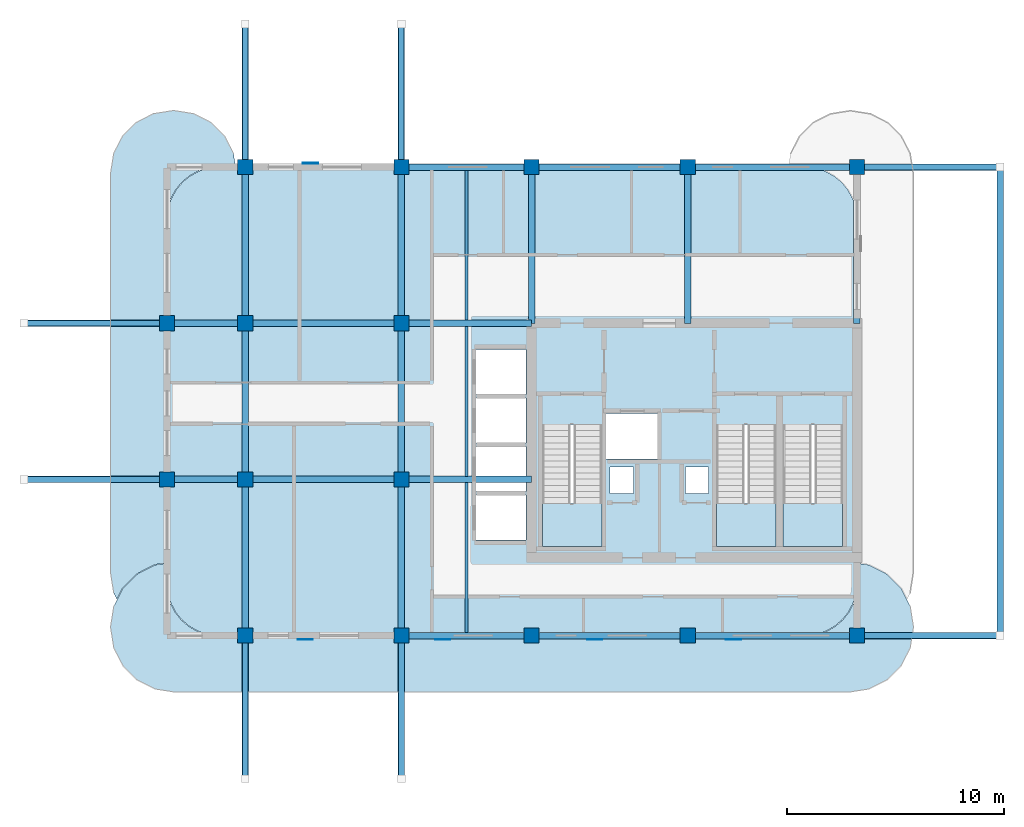
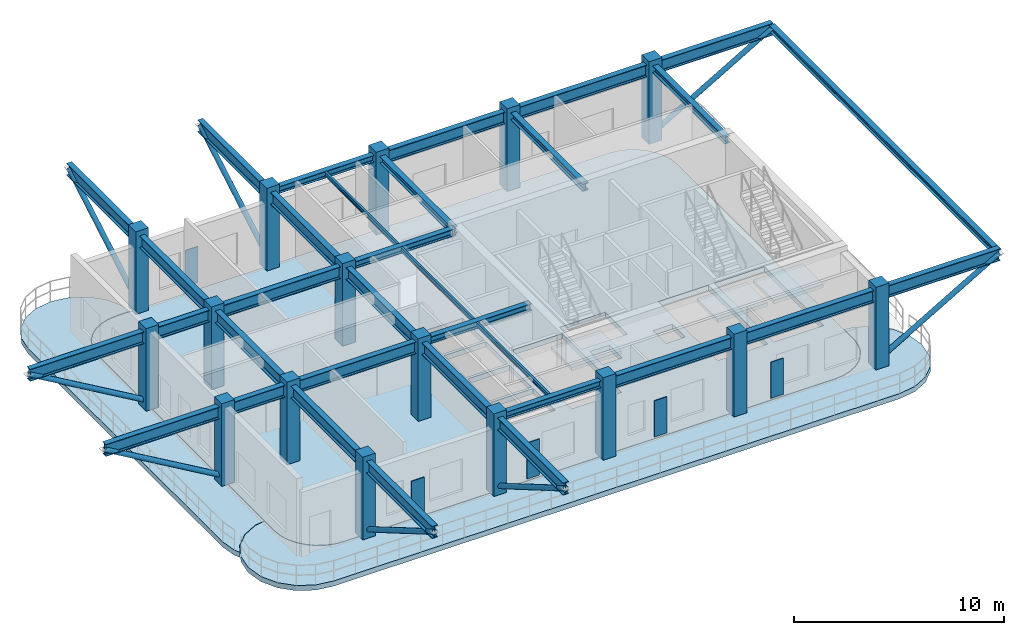
# One storey, part 1 of 8: 19 beams, 16 columns, 8 members, 6 slabs, 5 plates, 3 elements without a shape of their own.
"""IFC4 building model written with IfcOpenShell, lengths in metres."""

from ifc_helpers import new_model, si_unit, derived_unit, direction, frame, origin, origin_2d, place, context, subcontext, project, spatial, polyline, rectangle, hollow_circle, i_section, outline, extrude, source, transform, mapped, material, layer, layer_set, material_profile, profile_set, type_object, type_shapes, element, aggregate, save


model = new_model("IFC4")

# Units and contexts
model_context = context("Model", 3, precision=1e-05, world=origin(), true_north=direction((0.0, 1.0)))
body_context = subcontext(model_context, "Body", "Model", "MODEL_VIEW")
ifc_project = project(units=[si_unit("LENGTHUNIT", "METRE"), si_unit("AREAUNIT", "SQUARE_METRE"), si_unit("VOLUMEUNIT", "CUBIC_METRE"), si_unit("PLANEANGLEUNIT", "RADIAN"), si_unit("MASSUNIT", "GRAM", prefix="KILO"), si_unit("THERMODYNAMICTEMPERATUREUNIT", "KELVIN"), si_unit("POWERUNIT", "WATT"), derived_unit("THERMALTRANSMITTANCEUNIT", [(si_unit("POWERUNIT", "WATT"), 1), (si_unit("AREAUNIT", "SQUARE_METRE"), -1), (si_unit("THERMODYNAMICTEMPERATUREUNIT", "KELVIN"), -1)])], contexts=[model_context])

# Site, building, storey
site_placement = place(None, origin())
site = spatial("IfcSite", under=ifc_project, at=site_placement, CompositionType="ELEMENT")
building_placement = place(site_placement, origin())
building = spatial("IfcBuilding", under=site, at=building_placement, Name="Zahravan Archway Hotel and Residences", CompositionType="ELEMENT")
storey_placement = place(building_placement, frame((0.0, 0.0, 294.300048828125)))
storey = spatial("IfcBuildingStorey", under=building, at=storey_placement, Name="L74", CompositionType="ELEMENT", Elevation=294.300048828125)

# Columns
ifc_material_1 = material(Name="Concrete C50/60", Category="concrete")
ifc_material_profile_1 = material_profile(ifc_material_1, rectangle(XDim=0.699951171875, YDim=0.699951171875, at=origin_2d()), Name="RC-COL-700x700", Category="concrete")
ifc_profile_set_1 = profile_set([ifc_material_profile_1], Name="Concrete C50/60")
column_type = type_object("IfcColumnType", Name="COL-RC-700", PredefinedType="COLUMN", material=ifc_profile_set_1)
shared_shape_1 = source(origin(), body_context, "Body", "SweptSolid", [
    extrude(rectangle(XDim=0.699951171875, YDim=0.699951171875, at=origin_2d()), origin(), (0.0, 0.0, 1.0), 4.800048828125),
])
for number, where, z_axis, x_axis, name in (
    (1, (21.60009765625, 0.0, 0.0), (0.0, 0.0, 1.0), (1.0, 0.0, 0.0), "L74 Column 4-A"),
    (2, (21.60009765625, 7.199951171875, 0.0), (0.0, 0.0, 1.0), (1.0, 0.0, 0.0), "L74 Column 4-B"),
    (3, (21.60009765625, 14.39990234375, 0.0), (0.0, 0.0, 1.0), (1.0, 0.0, 0.0), "L74 Column 4-C"),
    (4, (21.60009765625, 21.60009765625, 0.0), (0.0, 0.0, 1.0), (1.0, 0.0, 0.0), "L74 Column 4-D"),
    (5, (28.800048828125, 0.0, 0.0), (0.0, 0.0, 1.0), (1.0, 0.0, 0.0), "L74 Column 5-A"),
    (6, (28.800048828125, 7.199951171875, 0.0), (0.0, 0.0, 1.0), (1.0, 0.0, 0.0), "L74 Column 5-B"),
    (7, (28.800048828125, 14.39990234375, 0.0), (0.0, 0.0, 1.0), (1.0, 0.0, 0.0), "L74 Column 5-C"),
    (8, (28.800048828125, 21.60009765625, 0.0), (0.0, 0.0, 1.0), (1.0, 0.0, 0.0), "L74 Column 5-D"),
    (9, (34.800048828125, 0.0, 0.0), (0.0, 0.0, 1.0), (1.0, 0.0, 0.0), "L74 Column 6-A"),
    (10, (34.800048828125, 21.60009765625, 0.0), (0.0, 0.0, 1.0), (1.0, 0.0, 0.0), "L74 Column 6-D"),
    (11, (42.0, 0.0, 0.0), (0.0, 0.0, 1.0), (1.0, 0.0, 0.0), "L74 Column 7-A"),
    (12, (42.0, 21.60009765625, 0.0), (0.0, 0.0, 1.0), (1.0, 0.0, 0.0), "L74 Column 7-D"),
    (13, (49.800048828125, 0.0, 0.0), (0.0, 0.0, 1.0), (1.0, 0.0, 0.0), "L74 Column 8-A"),
    (14, (49.800048828125, 21.60009765625, 0.0), (0.0, 0.0, 1.0), (1.0, 0.0, 0.0), "L74 Column 8-D"),
    (15, (18.0, 7.199951171875, 0.0), (0.0, 0.0, 1.0), (1.0, 0.0, 0.0), "L74 Column 3W-B"),
    (16, (18.0, 14.39990234375, 0.0), (0.0, 0.0, 1.0), (1.0, 0.0, 0.0), "L74 Column 3W-C"),
):
    element("IfcColumn", number, at=place(storey_placement, frame(where, z_axis=z_axis, x_axis=x_axis)), inside=storey, type_object=column_type, Name=name, PredefinedType="COLUMN", context=body_context, shape_type="MappedRepresentation", body=[
        mapped(shared_shape_1, transform((0.0, 0.0, 0.0), scale=1.0)),
    ])

# Beams
ifc_material_2 = material(Name="Structural Steel S355JR", Category="steel")
ifc_material_profile_2 = material_profile(ifc_material_2, i_section(OverallWidth=0.300048828125, OverallDepth=0.39990234375, WebThickness=0.013427734375, FlangeThickness=0.02392578125, FilletRadius=0.027099609375, at=origin_2d()), Name="HEB 400", Category="steel")
ifc_profile_set_2 = profile_set([ifc_material_profile_2], Name="Structural Steel S355JR")
beam_type_1 = type_object("IfcBeamType", Name="BM-PRI-HEB400", PredefinedType="BEAM", material=ifc_profile_set_2)
shared_shape_2 = source(origin(), body_context, "Body", "SweptSolid", [
    extrude(i_section(OverallWidth=0.300048828125, OverallDepth=0.39990234375, WebThickness=0.013427734375, FlangeThickness=0.02392578125, FilletRadius=0.027099609375, at=origin_2d()), origin(), (0.0, 0.0, 1.0), 6.0),
])
for number, where, z_axis, x_axis, name in (
    (17, (28.800048828125, 0.0, 4.300048828125), (1.0, 0.0, 0.0), (0.0, 1.0, 0.0), "L74 Primary Girder EW-01"),
    (18, (28.800048828125, 7.199951171875, 4.300048828125), (1.0, 0.0, 0.0), (0.0, 1.0, 0.0), "L74 Primary Girder EW-02"),
    (19, (28.800048828125, 14.39990234375, 4.300048828125), (1.0, 0.0, 0.0), (0.0, 1.0, 0.0), "L74 Primary Girder EW-03"),
    (20, (28.800048828125, 21.60009765625, 4.300048828125), (1.0, 0.0, 0.0), (0.0, 1.0, 0.0), "L74 Primary Girder EW-04"),
):
    element("IfcBeam", number, at=place(storey_placement, frame(where, z_axis=z_axis, x_axis=x_axis)), inside=storey, type_object=beam_type_1, Name=name, PredefinedType="BEAM", context=body_context, shape_type="MappedRepresentation", body=[
        mapped(shared_shape_2, transform((0.0, 0.0, 0.0), scale=1.0)),
    ])
shared_shape_3 = source(origin(), body_context, "Body", "SweptSolid", [
    extrude(i_section(OverallWidth=0.300048828125, OverallDepth=0.39990234375, WebThickness=0.013427734375, FlangeThickness=0.02392578125, FilletRadius=0.027099609375, at=origin_2d()), origin(), (0.0, 0.0, 1.0), 7.2001953125),
])
for number, where, z_axis, x_axis, name in (
    (21, (34.800048828125, 14.39990234375, 4.300048828125), (0.0, 1.0, 0.0), (-1.0, 0.0, 0.0), "L74 Primary Girder NS-05"),
    (22, (42.0, 14.39990234375, 4.300048828125), (0.0, 1.0, 0.0), (-1.0, 0.0, 0.0), "L74 Primary Girder NS-06"),
    (23, (49.800048828125, 14.39990234375, 4.300048828125), (0.0, 1.0, 0.0), (-1.0, 0.0, 0.0), "L74 Primary Girder NS-07"),
):
    element("IfcBeam", number, at=place(storey_placement, frame(where, z_axis=z_axis, x_axis=x_axis)), inside=storey, type_object=beam_type_1, Name=name, PredefinedType="BEAM", context=body_context, shape_type="MappedRepresentation", body=[
        mapped(shared_shape_3, transform((0.0, 0.0, 0.0), scale=1.0)),
    ])
ifc_material_profile_3 = material_profile(ifc_material_2, i_section(OverallWidth=0.1201171875, OverallDepth=0.239990234375, WebThickness=0.006103515625, FlangeThickness=0.009765625, FilletRadius=0.014892578125, at=origin_2d()), Name="IPE 240", Category="steel")
ifc_profile_set_3 = profile_set([ifc_material_profile_3], Name="Structural Steel S355JR")
beam_type_2 = type_object("IfcBeamType", Name="BM-JST-IPE240", PredefinedType="JOIST", material=ifc_profile_set_3)
shared_shape_4 = source(origin(), body_context, "Body", "SweptSolid", [
    extrude(i_section(OverallWidth=0.1201171875, OverallDepth=0.239990234375, WebThickness=0.006103515625, FlangeThickness=0.009765625, FilletRadius=0.014892578125, at=origin_2d()), origin(), (0.0, 0.0, 1.0), 6.904052734375),
])
type_shapes(beam_type_2, [shared_shape_4])
for number, where, z_axis, x_axis, name in (
    (24, (31.800048828125, 0.14794921875, 4.3798828125), (0.0, 1.0, 0.0), (-1.0, 0.0, 0.0), "L74 Composite Floor Joist 01"),
    (25, (31.800048828125, 7.347900390625, 4.3798828125), (0.0, 1.0, 0.0), (-1.0, 0.0, 0.0), "L74 Composite Floor Joist 02"),
):
    element("IfcBeam", number, at=place(storey_placement, frame(where, z_axis=z_axis, x_axis=x_axis)), inside=storey, type_object=beam_type_2, Name=name, PredefinedType="JOIST", context=body_context, shape_type="MappedRepresentation", body=[
        mapped(shared_shape_4, transform((0.0, 0.0, 0.0), scale=1.0)),
    ])
shared_shape_5 = source(origin(), body_context, "Body", "SweptSolid", [
    extrude(i_section(OverallWidth=0.1201171875, OverallDepth=0.239990234375, WebThickness=0.006103515625, FlangeThickness=0.009765625, FilletRadius=0.014892578125, at=origin_2d()), origin(), (0.0, 0.0, 1.0), 6.90380859375),
])
beam_1_placement = place(storey_placement, frame((31.800048828125, 14.548095703125, 4.3798828125), z_axis=(0.0, 1.0, 0.0), x_axis=(-1.0, 0.0, 0.0)))
element("IfcBeam", 26, at=beam_1_placement, inside=storey, type_object=beam_type_2, Name="L74 Composite Floor Joist 03", PredefinedType="JOIST", context=body_context, shape_type="MappedRepresentation", body=[
    mapped(shared_shape_5, transform((0.0, 0.0, 0.0), scale=1.0)),
])
ifc_material_3 = material(Name="Structural Steel S355J2", Category="steel")
ifc_material_profile_4 = material_profile(ifc_material_3, i_section(OverallWidth=0.300048828125, OverallDepth=0.699951171875, WebThickness=0.01708984375, FlangeThickness=0.031982421875, FilletRadius=0.027099609375, at=origin_2d()), Name="HEB 700", Category="steel")
ifc_profile_set_4 = profile_set([ifc_material_profile_4], Name="Structural Steel S355J2")
beam_type_3 = type_object("IfcBeamType", Name="BM-CANOPY-HEB700", PredefinedType="BEAM", material=ifc_profile_set_4)
shared_shape_6 = source(origin(), body_context, "Body", "SweptSolid", [
    extrude(i_section(OverallWidth=0.300048828125, OverallDepth=0.699951171875, WebThickness=0.01708984375, FlangeThickness=0.031982421875, FilletRadius=0.027099609375, at=origin_2d()), origin(), (0.0, 0.0, 1.0), 17.400146484375),
])
for number, where, z_axis, x_axis, name in (
    (27, (28.800048828125, 7.199951171875, 4.14990234375), (-1.0, 0.0, 0.0), (0.0, -1.0, 0.0), "Wing A Canopy Girder W1"),
    (28, (28.800048828125, 14.39990234375, 4.14990234375), (-1.0, 0.0, 0.0), (0.0, -1.0, 0.0), "Wing A Canopy Girder W2"),
):
    element("IfcBeam", number, at=place(storey_placement, frame(where, z_axis=z_axis, x_axis=x_axis)), inside=storey, type_object=beam_type_3, Name=name, PredefinedType="BEAM", context=body_context, shape_type="MappedRepresentation", body=[
        mapped(shared_shape_6, transform((0.0, 0.0, 0.0), scale=1.0)),
    ])

# Members
ifc_material_profile_5 = material_profile(ifc_material_3, hollow_circle(Radius=0.136474609375, WallThickness=0.012451171875, at=origin_2d()), Name="CHS 273x12.5", Category="steel")
ifc_profile_set_5 = profile_set([ifc_material_profile_5], Name="Structural Steel S355J2")
member_type = type_object("IfcMemberType", Name="MEM-CHAJJA-CHS273", PredefinedType="STRUT", material=ifc_profile_set_5)
shared_shape_7 = source(origin(), body_context, "Body", "SweptSolid", [
    extrude(hollow_circle(Radius=0.136474609375, WallThickness=0.012451171875, at=origin_2d()), origin(), (0.0, 0.0, 1.0), 7.640869140625),
])
for number, where, z_axis, x_axis, name in (
    (29, (18.0, 7.199951171875, 0.300048828125), (-0.86379048948, 0.0, 0.50385115886), (0.0, -1.0, 0.0), "Wing A Chhajja Raking Canopy Strut W1"),
    (30, (18.0, 14.39990234375, 0.300048828125), (-0.86379048948, 0.0, 0.50385115886), (0.0, -1.0, 0.0), "Wing A Chhajja Raking Canopy Strut W2"),
    (31, (21.60009765625, 0.0, 0.300048828125), (0.0, -0.86379048948, 0.50385115886), (1.0, 0.0, 0.0), "Wing A Chhajja Raking Canopy Strut S1"),
    (32, (28.800048828125, 0.0, 0.300048828125), (0.0, -0.86379048948, 0.50385115886), (1.0, 0.0, 0.0), "Wing A Chhajja Raking Canopy Strut S2"),
):
    element("IfcMember", number, at=place(storey_placement, frame(where, z_axis=z_axis, x_axis=x_axis)), inside=storey, type_object=member_type, Name=name, PredefinedType="STRUT", context=body_context, shape_type="MappedRepresentation", body=[
        mapped(shared_shape_7, transform((0.0, 0.0, 0.0), scale=1.0)),
    ])

# Beams
shared_shape_8 = source(origin(), body_context, "Body", "SweptSolid", [
    extrude(i_section(OverallWidth=0.300048828125, OverallDepth=0.699951171875, WebThickness=0.01708984375, FlangeThickness=0.031982421875, FilletRadius=0.027099609375, at=origin_2d()), origin(), (0.0, 0.0, 1.0), 13.800048828125),
])
for number, where, z_axis, x_axis, name in (
    (33, (21.60009765625, 7.199951171875, 4.14990234375), (0.0, -1.0, 0.0), (1.0, 0.0, 0.0), "Wing A Canopy Girder S1"),
    (34, (28.800048828125, 7.199951171875, 4.14990234375), (0.0, -1.0, 0.0), (1.0, 0.0, 0.0), "Wing A Canopy Girder S2"),
):
    element("IfcBeam", number, at=place(storey_placement, frame(where, z_axis=z_axis, x_axis=x_axis)), inside=storey, type_object=beam_type_3, Name=name, PredefinedType="BEAM", context=body_context, shape_type="MappedRepresentation", body=[
        mapped(shared_shape_8, transform((0.0, 0.0, 0.0), scale=1.0)),
    ])
shared_shape_9 = source(origin(), body_context, "Body", "SweptSolid", [
    extrude(i_section(OverallWidth=0.300048828125, OverallDepth=0.699951171875, WebThickness=0.01708984375, FlangeThickness=0.031982421875, FilletRadius=0.027099609375, at=origin_2d()), origin(), (0.0, 0.0, 1.0), 21.0),
])
for number, where, z_axis, x_axis, name in (
    (35, (21.60009765625, 7.199951171875, 4.14990234375), (0.0, 1.0, 0.0), (-1.0, 0.0, 0.0), "Wing A Canopy Girder N1"),
    (36, (28.800048828125, 7.199951171875, 4.14990234375), (0.0, 1.0, 0.0), (-1.0, 0.0, 0.0), "Wing A Canopy Girder N2"),
):
    element("IfcBeam", number, at=place(storey_placement, frame(where, z_axis=z_axis, x_axis=x_axis)), inside=storey, type_object=beam_type_3, Name=name, PredefinedType="BEAM", context=body_context, shape_type="MappedRepresentation", body=[
        mapped(shared_shape_9, transform((0.0, 0.0, 0.0), scale=1.0)),
    ])

# Members
shared_shape_10 = source(origin(), body_context, "Body", "SweptSolid", [
    extrude(hollow_circle(Radius=0.136474609375, WallThickness=0.012451171875, at=origin_2d()), origin(), (0.0, 0.0, 1.0), 7.640625),
])
for number, where, z_axis, x_axis, name in (
    (37, (21.60009765625, 21.60009765625, 0.300048828125), (0.0, 0.863782377617, 0.503865065388), (-1.0, 0.0, 0.0), "Wing A Chhajja Raking Canopy Strut N1"),
    (38, (28.800048828125, 21.60009765625, 0.300048828125), (0.0, 0.863782377617, 0.503865065388), (-1.0, 0.0, 0.0), "Wing A Chhajja Raking Canopy Strut N2"),
    (39, (49.800048828125, 21.60009765625, 0.300048828125), (0.863782377617, 0.0, 0.503865065388), (0.0, 1.0, 0.0), "Wing A Chhajja Raking Canopy Strut E1"),
    (40, (49.800048828125, 0.0, 0.300048828125), (0.863782377617, 0.0, 0.503865065388), (0.0, 1.0, 0.0), "Wing A Chhajja Raking Canopy Strut E2"),
):
    element("IfcMember", number, at=place(storey_placement, frame(where, z_axis=z_axis, x_axis=x_axis)), inside=storey, type_object=member_type, Name=name, PredefinedType="STRUT", context=body_context, shape_type="MappedRepresentation", body=[
        mapped(shared_shape_10, transform((0.0, 0.0, 0.0), scale=1.0)),
    ])

# Beams
shared_shape_11 = source(origin(), body_context, "Body", "SweptSolid", [
    extrude(i_section(OverallWidth=0.300048828125, OverallDepth=0.699951171875, WebThickness=0.01708984375, FlangeThickness=0.031982421875, FilletRadius=0.027099609375, at=origin_2d()), origin(), (0.0, 0.0, 1.0), 21.599853515625),
])
for number, where, z_axis, x_axis, name in (
    (41, (34.800048828125, 21.60009765625, 4.14990234375), (1.0, 0.0, 0.0), (0.0, 1.0, 0.0), "Wing A Canopy Girder E1"),
    (42, (34.800048828125, 0.0, 4.14990234375), (1.0, 0.0, 0.0), (0.0, 1.0, 0.0), "Wing A Canopy Girder E2"),
):
    element("IfcBeam", number, at=place(storey_placement, frame(where, z_axis=z_axis, x_axis=x_axis)), inside=storey, type_object=beam_type_3, Name=name, PredefinedType="BEAM", context=body_context, shape_type="MappedRepresentation", body=[
        mapped(shared_shape_11, transform((0.0, 0.0, 0.0), scale=1.0)),
    ])
ifc_material_profile_6 = material_profile(ifc_material_2, i_section(OverallWidth=0.300048828125, OverallDepth=0.360107421875, WebThickness=0.012451171875, FlangeThickness=0.0224609375, FilletRadius=0.027099609375, at=origin_2d()), Name="HEB 360", Category="steel")
ifc_profile_set_6 = profile_set([ifc_material_profile_6], Name="Structural Steel S355JR")
beam_type_4 = type_object("IfcBeamType", Name="BM-SPN-HEB360", PredefinedType="SPANDREL", material=ifc_profile_set_6)
shared_shape_12 = source(origin(), body_context, "Body", "SweptSolid", [
    extrude(i_section(OverallWidth=0.300048828125, OverallDepth=0.360107421875, WebThickness=0.012451171875, FlangeThickness=0.0224609375, FilletRadius=0.027099609375, at=origin_2d()), origin(), (0.0, 0.0, 1.0), 21.60009765625),
])
beam_2_placement = place(storey_placement, frame((56.39990234375, 0.0, 4.14990234375), z_axis=(0.0, 1.0, 0.0), x_axis=(-1.0, 0.0, 0.0)))
element("IfcBeam", 43, at=beam_2_placement, inside=storey, type_object=beam_type_4, Name="Wing A East Canopy Fascia Tie Beam", PredefinedType="SPANDREL", context=body_context, shape_type="MappedRepresentation", body=[
    mapped(shared_shape_12, transform((0.0, 0.0, 0.0), scale=1.0)),
])

# Slabs
ifc_layer_1 = layer(ifc_material_1, 0.300048828125, Name="Concrete C50/60", Category="concrete")
ifc_layer_set_1 = layer_set([ifc_layer_1], Name="Concrete C50/60")
slab_type_1 = type_object("IfcSlabType", Name="SLB-FLR-300", PredefinedType="FLOOR", material=ifc_layer_set_1)
slab_1_placement = place(storey_placement, frame((0.0, 0.0, -0.300048828125)))
element("IfcSlab", 44, at=slab_1_placement, inside=storey, type_object=slab_type_1, Name="L74 Floor Slab WA", PredefinedType="FLOOR", context=body_context, shape_type="SweptSolid", body=[
    extrude(outline(polyline([(47.39990234375, 0.0), (47.8681640625, 0.046142578125), (48.318359375, 0.1826171875), (48.7333984375, 0.404541015625), (49.09716796875, 0.702880859375), (49.3955078125, 1.066650390625), (49.6171875, 1.481689453125), (49.75390625, 1.931884765625), (49.800048828125, 2.39990234375), (49.800048828125, 19.199951171875), (49.75390625, 19.668212890625), (49.6171875, 20.118408203125), (49.3955078125, 20.533447265625), (49.09716796875, 20.897216796875), (48.7333984375, 21.195556640625), (48.318359375, 21.417236328125), (47.8681640625, 21.553955078125), (47.39990234375, 21.60009765625), (20.39990234375, 21.60009765625), (19.931884765625, 21.553955078125), (19.481689453125, 21.417236328125), (19.066650390625, 21.195556640625), (18.702880859375, 20.897216796875), (18.404541015625, 20.533447265625), (18.1826171875, 20.118408203125), (18.046142578125, 19.668212890625), (18.0, 19.199951171875), (18.0, 2.39990234375), (18.046142578125, 1.931884765625), (18.1826171875, 1.481689453125), (18.404541015625, 1.066650390625), (18.702880859375, 0.702880859375), (19.066650390625, 0.404541015625), (19.481689453125, 0.1826171875), (19.931884765625, 0.046142578125), (20.39990234375, 0.0), (47.39990234375, 0.0)]), holes=[polyline([(35.300048828125, 9.72998046875), (35.300048828125, 4.10009765625), (38.0400390625, 4.10009765625), (38.0400390625, 9.72998046875), (35.300048828125, 9.72998046875)]), polyline([(43.320068359375, 9.72998046875), (43.320068359375, 4.10009765625), (46.06005859375, 4.10009765625), (46.06005859375, 9.72998046875), (43.320068359375, 9.72998046875)]), polyline([(46.39990234375, 9.72998046875), (46.39990234375, 4.10009765625), (49.139892578125, 4.10009765625), (49.139892578125, 9.72998046875), (46.39990234375, 9.72998046875)]), polyline([(38.179931640625, 8.14990234375), (40.699951171875, 8.14990234375), (40.699951171875, 10.25), (38.179931640625, 10.25), (38.179931640625, 8.14990234375)]), polyline([(32.25, 4.39990234375), (34.550048828125, 4.39990234375), (34.550048828125, 6.47998046875), (32.25, 6.47998046875), (32.25, 4.39990234375)]), polyline([(32.25, 6.639892578125), (34.550048828125, 6.639892578125), (34.550048828125, 8.719970703125), (32.25, 8.719970703125), (32.25, 6.639892578125)]), polyline([(32.25, 8.8798828125), (34.550048828125, 8.8798828125), (34.550048828125, 10.9599609375), (32.25, 10.9599609375), (32.25, 8.8798828125)]), polyline([(32.25, 11.1201171875), (34.550048828125, 11.1201171875), (34.550048828125, 13.199951171875), (32.25, 13.199951171875), (32.25, 11.1201171875)]), polyline([(38.419921875, 6.56005859375), (39.5, 6.56005859375), (39.5, 7.780029296875), (38.419921875, 7.780029296875), (38.419921875, 6.56005859375)]), polyline([(41.89990234375, 6.56005859375), (42.9599609375, 6.56005859375), (42.9599609375, 7.780029296875), (41.89990234375, 7.780029296875), (41.89990234375, 6.56005859375)])]), origin(), (0.0, 0.0, 1.0), 0.300048828125),
])
slab_2_placement = place(storey_placement, frame((0.0, 0.0, -0.300048828125)))
element("IfcSlab", 45, at=slab_2_placement, inside=storey, type_object=slab_type_1, Name="L74 Wing A South Rounded Balcony Band", PredefinedType="FLOOR", context=body_context, shape_type="SweptSolid", body=[
    extrude(outline(polyline([(50.361572265625, 3.255615234375), (51.18408203125, 2.836669921875), (51.836669921875, 2.18408203125), (52.255615234375, 1.361572265625), (52.39990234375, 0.449951171875), (52.39990234375, 0.35009765625), (52.255615234375, -0.5615234375), (51.836669921875, -1.384033203125), (51.18408203125, -2.03662109375), (50.361572265625, -2.45556640625), (49.449951171875, -2.60009765625), (18.35009765625, -2.60009765625), (17.4384765625, -2.45556640625), (16.615966796875, -2.03662109375), (15.96337890625, -1.384033203125), (15.54443359375, -0.5615234375), (15.39990234375, 0.35009765625), (15.39990234375, 0.449951171875), (15.54443359375, 1.361572265625), (15.96337890625, 2.18408203125), (16.615966796875, 2.836669921875), (17.4384765625, 3.255615234375), (17.97998046875, 3.34130859375), (17.97998046875, 2.39990234375), (17.97998046875, 2.39794921875), (18.026123046875, 1.9296875), (18.026611328125, 1.927978515625), (18.027099609375, 1.926025390625), (18.16357421875, 1.475830078125), (18.164306640625, 1.473876953125), (18.1650390625, 1.47216796875), (18.386962890625, 1.05712890625), (18.387939453125, 1.055419921875), (18.388916015625, 1.053955078125), (18.6875, 0.690185546875), (18.688720703125, 0.688720703125), (18.690185546875, 0.6875), (19.053955078125, 0.388916015625), (19.055419921875, 0.387939453125), (19.05712890625, 0.386962890625), (19.47216796875, 0.1650390625), (19.473876953125, 0.164306640625), (19.475830078125, 0.16357421875), (19.926025390625, 0.027099609375), (19.927978515625, 0.026611328125), (19.9296875, 0.026123046875), (20.39794921875, -0.02001953125), (20.39990234375, -0.02001953125), (47.39990234375, -0.02001953125), (47.402099609375, -0.02001953125), (47.8701171875, 0.026123046875), (47.8720703125, 0.026611328125), (47.8740234375, 0.027099609375), (48.32421875, 0.16357421875), (48.326171875, 0.164306640625), (48.327880859375, 0.1650390625), (48.742919921875, 0.386962890625), (48.744384765625, 0.387939453125), (48.74609375, 0.388916015625), (49.10986328125, 0.6875), (49.111083984375, 0.688720703125), (49.112548828125, 0.690185546875), (49.410888671875, 1.053955078125), (49.412109375, 1.055419921875), (49.4130859375, 1.05712890625), (49.635009765625, 1.47216796875), (49.6357421875, 1.473876953125), (49.636474609375, 1.475830078125), (49.77294921875, 1.926025390625), (49.7734375, 1.927978515625), (49.773681640625, 1.9296875), (49.81982421875, 2.39794921875), (49.820068359375, 2.39990234375), (49.820068359375, 3.34130859375), (50.361572265625, 3.255615234375)])), origin(), (0.0, 0.0, 1.0), 0.300048828125),
])
slab_3_placement = place(storey_placement, frame((0.0, 0.0, -0.300048828125)))
element("IfcSlab", 46, at=slab_3_placement, inside=storey, type_object=slab_type_1, Name="L74 Wing A West Rounded Balcony Band", PredefinedType="FLOOR", context=body_context, shape_type="SweptSolid", body=[
    extrude(outline(polyline([(15.53955078125, 1.96923828125), (15.39990234375, 2.85009765625), (15.39990234375, 21.35009765625), (15.53955078125, 22.230712890625), (15.9443359375, 23.025146484375), (16.57470703125, 23.65576171875), (17.369384765625, 24.060546875), (18.25, 24.199951171875), (18.35009765625, 24.199951171875), (19.230712890625, 24.060546875), (20.025146484375, 23.65576171875), (20.65576171875, 23.025146484375), (21.060546875, 22.230712890625), (21.1572265625, 21.6201171875), (20.39990234375, 21.6201171875), (20.39794921875, 21.619873046875), (19.9296875, 21.57373046875), (19.927978515625, 21.573486328125), (19.926025390625, 21.572998046875), (19.475830078125, 21.436279296875), (19.473876953125, 21.435791015625), (19.47216796875, 21.434814453125), (19.05712890625, 21.213134765625), (19.055419921875, 21.212158203125), (19.053955078125, 21.2109375), (18.690185546875, 20.91259765625), (18.688720703125, 20.9111328125), (18.6875, 20.909912109375), (18.388916015625, 20.546142578125), (18.387939453125, 20.54443359375), (18.386962890625, 20.542724609375), (18.1650390625, 20.127685546875), (18.164306640625, 20.126220703125), (18.16357421875, 20.124267578125), (18.027099609375, 19.674072265625), (18.026611328125, 19.672119140625), (18.026123046875, 19.670166015625), (17.97998046875, 19.201904296875), (17.97998046875, 19.199951171875), (17.97998046875, 3.361328125), (17.978759765625, 3.361328125), (17.976806640625, 3.361083984375), (17.435302734375, 3.275390625), (17.43310546875, 3.27490234375), (17.43115234375, 3.2744140625), (17.42919921875, 3.2734375), (16.60693359375, 2.8544921875), (16.60498046875, 2.853515625), (16.603515625, 2.85205078125), (16.601806640625, 2.8505859375), (15.94921875, 2.197998046875), (15.947998046875, 2.196533203125), (15.946533203125, 2.19482421875), (15.945556640625, 2.193115234375), (15.685546875, 1.6826171875), (15.53955078125, 1.96923828125)])), origin(), (0.0, 0.0, 1.0), 0.300048828125),
])

# Stair, slab
stair_type = type_object("IfcStairType", Name="STR-CORE-1300", PredefinedType="HALF_TURN_STAIR", material=ifc_material_1)
stair_1_placement = place(storey_placement, origin())
stair_1 = element("IfcStair", 47, at=stair_1_placement, inside=storey, type_object=stair_type, Name="L74 Core A Exit Stair 1", PredefinedType="HALF_TURN_STAIR")
ifc_layer_2 = layer(ifc_material_1, 0.199951171875, Name="Concrete C50/60", Category="concrete")
ifc_layer_set_2 = layer_set([ifc_layer_2], Name="Concrete C50/60")
slab_type_2 = type_object("IfcSlabType", Name="SLB-LND-200", PredefinedType="LANDING", material=ifc_layer_set_2)
slab_4_placement = place(storey_placement, frame((0.0, 0.0, 2.199951171875)))
slab_4 = element("IfcSlab", 48, at=slab_4_placement, type_object=slab_type_2, Name="ST-A1 landing 1", PredefinedType="LANDING", context=body_context, shape_type="SweptSolid", body=[
    extrude(outline(polyline([(35.300048828125, 6.090087890625), (35.300048828125, 4.10009765625), (38.0400390625, 4.10009765625), (38.0400390625, 6.090087890625), (35.300048828125, 6.090087890625)])), origin(), (0.0, 0.0, 1.0), 0.199951171875),
])
aggregate(stair_1, [slab_4])

stair_2_placement = place(storey_placement, origin())
stair_2 = element("IfcStair", 49, at=stair_2_placement, inside=storey, type_object=stair_type, Name="L74 Core A Exit Stair 2", PredefinedType="HALF_TURN_STAIR")
slab_5_placement = place(storey_placement, frame((0.0, 0.0, 2.199951171875)))
slab_5 = element("IfcSlab", 50, at=slab_5_placement, type_object=slab_type_2, Name="ST-A2 landing 1", PredefinedType="LANDING", context=body_context, shape_type="SweptSolid", body=[
    extrude(outline(polyline([(43.320068359375, 6.090087890625), (43.320068359375, 4.10009765625), (46.06005859375, 4.10009765625), (46.06005859375, 6.090087890625), (43.320068359375, 6.090087890625)])), origin(), (0.0, 0.0, 1.0), 0.199951171875),
])
aggregate(stair_2, [slab_5])

stair_3_placement = place(storey_placement, origin())
stair_3 = element("IfcStair", 51, at=stair_3_placement, inside=storey, type_object=stair_type, Name="L74 Core A Exit Stair 3", PredefinedType="HALF_TURN_STAIR")
slab_6_placement = place(storey_placement, frame((0.0, 0.0, 2.199951171875)))
slab_6 = element("IfcSlab", 52, at=slab_6_placement, type_object=slab_type_2, Name="ST-A3 landing 1", PredefinedType="LANDING", context=body_context, shape_type="SweptSolid", body=[
    extrude(outline(polyline([(46.39990234375, 6.090087890625), (46.39990234375, 4.10009765625), (49.139892578125, 4.10009765625), (49.139892578125, 6.090087890625), (46.39990234375, 6.090087890625)])), origin(), (0.0, 0.0, 1.0), 0.199951171875),
])
aggregate(stair_3, [slab_6])

# Plates
ifc_material_4 = material(Name="Perforated Cast Bronze Jali Lattice")
ifc_layer_3 = layer(ifc_material_4, 0.044921875, Name="Perforated Cast Bronze Jali Lattice")
ifc_layer_set_3 = layer_set([ifc_layer_3], Name="Perforated Cast Bronze Jali Lattice")
plate_type = type_object("IfcPlateType", Name="PLT-JALI-BAY", PredefinedType="USERDEFINED", material=ifc_layer_set_3)
shared_shape_13 = source(origin(), body_context, "Body", "SweptSolid", [
    extrude(rectangle(XDim=0.699951171875, YDim=0.044921875, at=origin_2d()), origin(), (0.0, 0.0, 1.0), 2.10009765625),
])
type_shapes(plate_type, [shared_shape_13])
for number, where, z_axis, x_axis, name in (
    (53, (24.364013671875, -0.177978515625, 0.25), (0.0, 0.0, 1.0), (1.0, 0.0, 0.0), "L74 Perforated Bronze Jali Pier Screen 01"),
    (54, (30.7080078125, -0.177978515625, 0.25), (0.0, 0.0, 1.0), (1.0, 0.0, 0.0), "L74 Perforated Bronze Jali Pier Screen 02"),
    (55, (37.7080078125, -0.177978515625, 0.25), (0.0, 0.0, 1.0), (1.0, 0.0, 0.0), "L74 Perforated Bronze Jali Pier Screen 03"),
    (56, (44.10791015625, -0.177978515625, 0.25), (0.0, 0.0, 1.0), (1.0, 0.0, 0.0), "L74 Perforated Bronze Jali Pier Screen 04"),
    (57, (24.60791015625, 21.778076171875, 0.25), (0.0, 0.0, 1.0), (1.0, 0.0, 0.0), "L74 Perforated Bronze Jali Pier Screen 06"),
):
    element("IfcPlate", number, at=place(storey_placement, frame(where, z_axis=z_axis, x_axis=x_axis)), inside=storey, type_object=plate_type, Name=name, ObjectType="SCREEN", PredefinedType="USERDEFINED", context=body_context, shape_type="MappedRepresentation", body=[
        mapped(shared_shape_13, transform((0.0, 0.0, 0.0), scale=1.0)),
    ])

save(model, "model.ifc")
